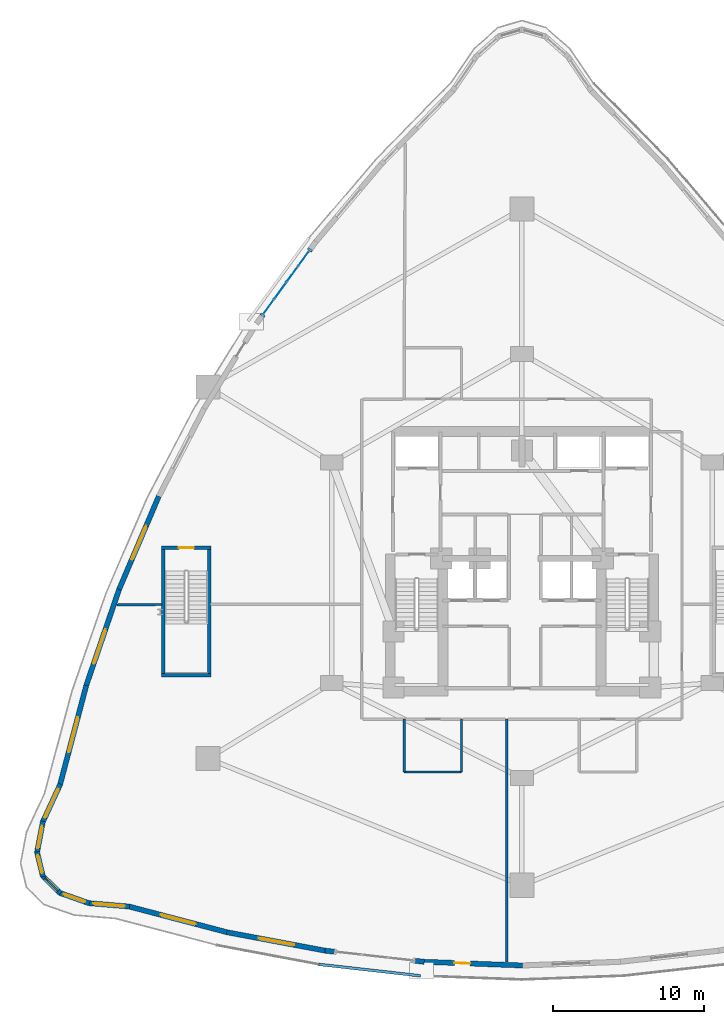
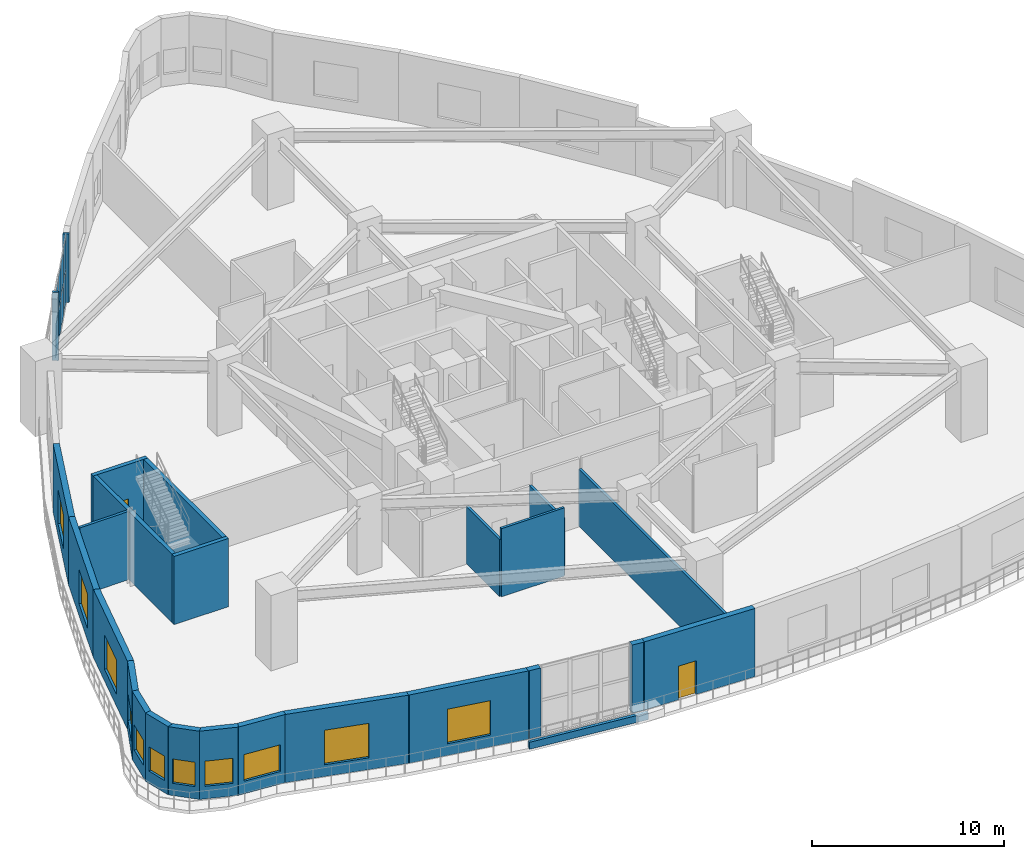
# One storey, part 11 of 19: 24 walls, 11 windows, 10 plates, 2 doors, 13 openings, 1 element without a shape of its own.
"""IFC4 building model written with IfcOpenShell, lengths in metres."""

from ifc_helpers import new_model, si_unit, direction, frame, frame_2d, origin, origin_2d, place, context, subcontext, project, spatial, rectangle, extrude, material, layer, layer_set, type_object, element, fill, aggregate, save


model = new_model("IFC4")

# Units and contexts
model_context = context("Model", 3, precision=1e-05, world=origin(), true_north=direction((0.0, 1.0)))
body_context = subcontext(model_context, "Body", "Model", "MODEL_VIEW")
ifc_project = project(units=[si_unit("LENGTHUNIT", "METRE"), si_unit("AREAUNIT", "SQUARE_METRE"), si_unit("VOLUMEUNIT", "CUBIC_METRE"), si_unit("PLANEANGLEUNIT", "RADIAN"), si_unit("MASSUNIT", "GRAM", prefix="KILO")], contexts=[model_context])

# Site, building, storey
site_placement = place(None, origin())
site = spatial("IfcSite", under=ifc_project, at=site_placement, CompositionType="ELEMENT")
building_placement = place(site_placement, origin())
building = spatial("IfcBuilding", under=site, at=building_placement, Name="Miruveldt Soraemaru", CompositionType="ELEMENT")
storey_placement = place(building_placement, frame((0.0, 0.0, 19.199951171875)))
storey = spatial("IfcBuildingStorey", under=building, at=storey_placement, Name="L05", CompositionType="ELEMENT", Elevation=19.199951171875)

# Curtain wall, plates
ifc_material_1 = material(Name="Anodised aluminium EN AW-6063 T6", Category="aluminium")
ifc_layer_1 = layer(ifc_material_1, 0.219970703125, Name="Anodised aluminium EN AW-6063 T6", Category="aluminium")
ifc_layer_set_1 = layer_set([ifc_layer_1], Name="Anodised aluminium EN AW-6063 T6")
curtain_wall_type = type_object("IfcCurtainWallType", Name="CW-SYS-2", PredefinedType="USERDEFINED", material=ifc_layer_set_1)
curtain_wall_placement = place(storey_placement, origin())
curtain_wall = element("IfcCurtainWall", 1, at=curtain_wall_placement, inside=storey, type_object=curtain_wall_type, Name="L05 Curtain Wall Bay 9", ObjectType="STOREFRONT", PredefinedType="USERDEFINED")
ifc_material_2 = material(Name="Triple low-e insulated glazing", Category="glass")
ifc_layer_2 = layer(ifc_material_2, 0.031982421875, Name="Triple low-e insulated glazing", Category="glass")
ifc_layer_set_2 = layer_set([ifc_layer_2], Name="Triple low-e insulated glazing")
plate_type_1 = type_object("IfcPlateType", Name="CWP-2", PredefinedType="CURTAIN_PANEL", material=ifc_layer_set_2)
plate_1_placement = place(storey_placement, frame((29.554443359375, 63.926025390625, 0.074951171875), z_axis=(0.0, 0.0, 1.0), x_axis=(-0.586784495035, -0.809743142229, 0.0)))
plate_1 = element("IfcPlate", 2, at=plate_1_placement, type_object=plate_type_1, Name="CW-2 panel 1.1", PredefinedType="CURTAIN_PANEL", context=body_context, shape_type="SweptSolid", body=[
    extrude(rectangle(XDim=1.223388671875, YDim=0.031982421875, at=origin_2d()), origin(), (0.0, 0.0, 1.0), 2.0625),
])
plate_2_placement = place(storey_placement, frame((29.554443359375, 63.926025390625, 2.212646484375), z_axis=(0.0, 0.0, 1.0), x_axis=(-0.586784495035, -0.809743142229, 0.0)))
plate_2 = element("IfcPlate", 3, at=plate_2_placement, type_object=plate_type_1, Name="CW-2 panel 1.2", PredefinedType="CURTAIN_PANEL", context=body_context, shape_type="SweptSolid", body=[
    extrude(rectangle(XDim=1.223388671875, YDim=0.031982421875, at=origin_2d()), origin(), (0.0, 0.0, 1.0), 2.0625),
])
plate_3_placement = place(storey_placement, frame((28.781494140625, 62.859375, 0.074951171875), z_axis=(0.0, 0.0, 1.0), x_axis=(-0.586784495035, -0.809743142229, 0.0)))
plate_3 = element("IfcPlate", 4, at=plate_3_placement, type_object=plate_type_1, Name="CW-2 panel 2.1", PredefinedType="CURTAIN_PANEL", context=body_context, shape_type="SweptSolid", body=[
    extrude(rectangle(XDim=1.260986328125, YDim=0.031982421875, at=origin_2d()), origin(), (0.0, 0.0, 1.0), 2.0625),
])
plate_4_placement = place(storey_placement, frame((28.781494140625, 62.859375, 2.212646484375), z_axis=(0.0, 0.0, 1.0), x_axis=(-0.586784495035, -0.809743142229, 0.0)))
plate_4 = element("IfcPlate", 5, at=plate_4_placement, type_object=plate_type_1, Name="CW-2 panel 2.2", PredefinedType="CURTAIN_PANEL", context=body_context, shape_type="SweptSolid", body=[
    extrude(rectangle(XDim=1.260986328125, YDim=0.031982421875, at=origin_2d()), origin(), (0.0, 0.0, 1.0), 2.0625),
])
plate_5_placement = place(storey_placement, frame((27.997314453125, 61.777587890625, 0.074951171875), z_axis=(0.0, 0.0, 1.0), x_axis=(-0.586784495035, -0.809743142229, 0.0)))
plate_5 = element("IfcPlate", 6, at=plate_5_placement, type_object=plate_type_1, Name="CW-2 panel 3.1", PredefinedType="CURTAIN_PANEL", context=body_context, shape_type="SweptSolid", body=[
    extrude(rectangle(XDim=1.260986328125, YDim=0.031982421875, at=origin_2d()), origin(), (0.0, 0.0, 1.0), 2.0625),
])
plate_6_placement = place(storey_placement, frame((27.997314453125, 61.777587890625, 2.212646484375), z_axis=(0.0, 0.0, 1.0), x_axis=(-0.586784495035, -0.809743142229, 0.0)))
plate_6 = element("IfcPlate", 7, at=plate_6_placement, type_object=plate_type_1, Name="CW-2 panel 3.2", PredefinedType="CURTAIN_PANEL", context=body_context, shape_type="SweptSolid", body=[
    extrude(rectangle(XDim=1.260986328125, YDim=0.031982421875, at=origin_2d()), origin(), (0.0, 0.0, 1.0), 2.0625),
])
plate_7_placement = place(storey_placement, frame((27.224365234375, 60.7109375, 0.074951171875), z_axis=(0.0, 0.0, 1.0), x_axis=(-0.586784495035, -0.809743142229, 0.0)))
plate_7 = element("IfcPlate", 8, at=plate_7_placement, type_object=plate_type_1, Name="CW-2 panel 4.1", PredefinedType="CURTAIN_PANEL", context=body_context, shape_type="SweptSolid", body=[
    extrude(rectangle(XDim=1.223388671875, YDim=0.031982421875, at=origin_2d()), origin(), (0.0, 0.0, 1.0), 2.0625),
])
plate_8_placement = place(storey_placement, frame((27.224365234375, 60.7109375, 2.212646484375), z_axis=(0.0, 0.0, 1.0), x_axis=(-0.586784495035, -0.809743142229, 0.0)))
plate_8 = element("IfcPlate", 9, at=plate_8_placement, type_object=plate_type_1, Name="CW-2 panel 4.2", PredefinedType="CURTAIN_PANEL", context=body_context, shape_type="SweptSolid", body=[
    extrude(rectangle(XDim=1.223388671875, YDim=0.031982421875, at=origin_2d()), origin(), (0.0, 0.0, 1.0), 2.0625),
])
aggregate(curtain_wall, [plate_1, plate_2, plate_3, plate_4, plate_5, plate_6, plate_7, plate_8])

# Plates
ifc_layer_3 = layer(ifc_material_1, 0.030029296875, Name="Anodised aluminium EN AW-6063 T6", Category="aluminium")
ifc_layer_set_3 = layer_set([ifc_layer_3], Name="Anodised aluminium EN AW-6063 T6")
plate_type_2 = type_object("IfcPlateType", Name="PLT-JAMB-30", PredefinedType="SHEET", material=ifc_layer_set_3)
for number, where, z_axis, x_axis, name in (
    (10, (29.957275390625, 64.482177734375, 0.0), (0.0, 0.0, 1.0), (-0.586796413149, -0.809734505573, 0.0), "L05 Curtain Wall Jamb Closure Trim 9JL"),
    (11, (26.821533203125, 60.15478515625, 0.0), (0.0, 0.0, 1.0), (-0.586796413149, -0.809734505573, 0.0), "L05 Curtain Wall Jamb Closure Trim 9JR"),
):
    element("IfcPlate", number, at=place(storey_placement, frame(where, z_axis=z_axis, x_axis=x_axis)), inside=storey, type_object=plate_type_2, Name=name, PredefinedType="SHEET", context=body_context, shape_type="SweptSolid", body=[
        extrude(rectangle(XDim=0.139892578125, YDim=0.340087890625, at=origin_2d()), origin(), (0.0, 0.0, 1.0), 4.35009765625),
    ])

# Wall, opening, door
ifc_material_3 = material(Name="Concrete C50/60 (50 MPa)", Category="concrete")
ifc_layer_4 = layer(ifc_material_3, 0.419921875, Name="Concrete C50/60 (50 MPa)", Category="concrete")
ifc_layer_set_4 = layer_set([ifc_layer_4], Name="Concrete C50/60 (50 MPa)")
wall_type_1 = type_object("IfcWallType", Name="WALL-CW-420", PredefinedType="SHEAR", material=ifc_layer_set_4)
wall_1_placement = place(storey_placement, frame((20.1298828125, 44.75, 0.0), z_axis=(0.0, 0.0, 1.0), x_axis=(1.0, 0.0, 0.0)))
wall_1 = element("IfcWall", 12, at=wall_1_placement, inside=storey, type_object=wall_type_1, Name="L05 Protected Exit Stair ST-3 Structural Shaft Wall N", PredefinedType="SHEAR", context=body_context, shape_type="SweptSolid", body=[
    extrude(rectangle(XDim=3.2900390625, YDim=0.239990234375, at=frame_2d((1.64501953125, 0.0))), origin(), (0.0, 0.0, 1.0), 4.35009765625),
])
opening_1_placement = place(wall_1_placement, frame((1.14501953125, 0.0, 0.0)))
opening_1 = element("IfcOpeningElement", 13, at=opening_1_placement, cuts=wall_1, Name="Opening FD1", PredefinedType="OPENING", context=body_context, shape_type="SweptSolid", body=[
    extrude(rectangle(XDim=1.0, YDim=2.14990234375, at=frame_2d((0.5, 1.074951171875))), frame((0.0, 0.1298828125, 0.0), z_axis=(0.0, -1.0, 0.0), x_axis=(1.0, 0.0, 0.0)), (0.0, 0.0, 1.0), 0.260009765625),
])
door_type_1 = type_object("IfcDoorType", Name="DOOR-FD1-1000", OperationType="NOTDEFINED", PredefinedType="DOOR", material=ifc_material_1)
door_1_placement = place(opening_1_placement, frame((1.0, 0.0, 0.0), z_axis=(0.0, 0.0, 1.0), x_axis=(-1.0, 0.0, 0.0)))
door_1 = element("IfcDoor", 14, at=door_1_placement, inside=storey, type_object=door_type_1, Name="L05 Protected Exit Stair ST-3 Fire Door", OperationType="SINGLE_SWING_LEFT", OverallHeight=2.14990234375, OverallWidth=1.0, PredefinedType="DOOR", context=body_context, shape_type="SweptSolid", body=[
    extrude(rectangle(XDim=1.0, YDim=2.14990234375, at=frame_2d((0.5, 1.074951171875))), frame((0.0, 0.02490234375, 0.0), z_axis=(0.0, -1.0, 0.0), x_axis=(1.0, 0.0, 0.0)), (0.0, 0.0, 1.0), 0.050048828125),
])
fill(opening_1, door_1)

# Walls
for number, where, z_axis, x_axis, name in (
    (15, (20.25, 36.35009765625, 0.0), (0.0, 0.0, 1.0), (0.0, 1.0, 0.0), "L05 Protected Exit Stair ST-3 Structural Shaft Wall W"),
    (16, (23.300048828125, 36.35009765625, 0.0), (0.0, 0.0, 1.0), (0.0, 1.0, 0.0), "L05 Protected Exit Stair ST-3 Structural Shaft Wall E"),
):
    element("IfcWall", number, at=place(storey_placement, frame(where, z_axis=z_axis, x_axis=x_axis)), inside=storey, type_object=wall_type_1, Name=name, PredefinedType="SHEAR", context=body_context, shape_type="SweptSolid", body=[
        extrude(rectangle(XDim=8.349853515625, YDim=0.239990234375, at=frame_2d((4.1748046875, 0.0))), origin(), (0.0, 0.0, 1.0), 4.35009765625),
    ])
wall_2_placement = place(storey_placement, frame((20.1298828125, 36.300048828125, 0.0), z_axis=(0.0, 0.0, 1.0), x_axis=(1.0, 0.0, 0.0)))
element("IfcWall", 17, at=wall_2_placement, inside=storey, type_object=wall_type_1, Name="L05 Protected Exit Stair ST-3 Structural Shaft Wall S", PredefinedType="SHEAR", context=body_context, shape_type="SweptSolid", body=[
    extrude(rectangle(XDim=3.2900390625, YDim=0.239990234375, at=frame_2d((1.64501953125, 0.0))), origin(), (0.0, 0.0, 1.0), 4.35009765625),
])

# Wall, opening, window
ifc_material_4 = material(Name="Precast concrete C45/55 (45 MPa)", Category="concrete")
ifc_layer_5 = layer(ifc_material_4, 0.340087890625, Name="Precast concrete C45/55 (45 MPa)", Category="concrete")
ifc_layer_set_5 = layer_set([ifc_layer_5], Name="Precast concrete C45/55 (45 MPa)")
wall_type_2 = type_object("IfcWallType", Name="WALL-EXT-PC340", PredefinedType="SOLIDWALL", material=ifc_layer_set_5)
wall_3_placement = place(storey_placement, frame((19.948974609375, 48.168701171875, 0.0), z_axis=(0.0, 0.0, 1.0), x_axis=(-0.392198319583, -0.919880686892, 0.0)))
wall_3 = element("IfcWall", 18, at=wall_3_placement, inside=storey, type_object=wall_type_2, Name="L05 Precast Concrete Facade Wall 12", PredefinedType="SOLIDWALL", context=body_context, shape_type="SweptSolid", body=[
    extrude(rectangle(XDim=6.714111328125, YDim=0.340087890625, at=frame_2d((3.35693359375, 0.0))), origin(), (0.0, 0.0, 1.0), 4.35009765625),
])
opening_2_placement = place(wall_3_placement, frame((2.156982421875, 0.0, 0.75)))
opening_2 = element("IfcOpeningElement", 19, at=opening_2_placement, cuts=wall_3, Name="Opening WN-5", PredefinedType="OPENING", context=body_context, shape_type="SweptSolid", body=[
    extrude(rectangle(XDim=2.39990234375, YDim=2.199951171875, at=frame_2d((1.199951171875, 1.10009765625))), frame((0.0, 0.18017578125, 0.0), z_axis=(0.0, -1.0, 0.0), x_axis=(1.0, 0.0, 0.0)), (0.0, 0.0, 1.0), 0.360107421875),
])
window_type_1 = type_object("IfcWindowType", Name="WIN-PODM-2400x2200", PartitioningType="SINGLE_PANEL", PredefinedType="WINDOW", material=ifc_material_2)
window_1_placement = place(opening_2_placement, origin())
window_1 = element("IfcWindow", 20, at=window_1_placement, inside=storey, type_object=window_type_1, Name="L05 Punched Triple-Glazed Window 12.1", OverallHeight=2.199951171875, OverallWidth=2.39990234375, PartitioningType="SINGLE_PANEL", PredefinedType="WINDOW", context=body_context, shape_type="SweptSolid", body=[
    extrude(rectangle(XDim=2.39990234375, YDim=2.199951171875, at=frame_2d((1.199951171875, 1.10009765625))), frame((0.0, 0.030029296875, 0.0), z_axis=(0.0, -1.0, 0.0), x_axis=(1.0, 0.0, 0.0)), (0.0, 0.0, 1.0), 0.06005859375),
])
fill(opening_2, window_1)

wall_4_placement = place(storey_placement, frame((17.340576171875, 42.057861328125, 0.0), z_axis=(0.0, 0.0, 1.0), x_axis=(-0.323760553486, -0.946139051095, 0.0)))
wall_4 = element("IfcWall", 21, at=wall_4_placement, inside=storey, type_object=wall_type_2, Name="L05 Precast Concrete Facade Wall 13", PredefinedType="SOLIDWALL", context=body_context, shape_type="SweptSolid", body=[
    extrude(rectangle(XDim=6.787353515625, YDim=0.340087890625, at=frame_2d((3.3935546875, 0.0))), origin(), (0.0, 0.0, 1.0), 4.35009765625),
])
opening_3_placement = place(wall_4_placement, frame((2.85888671875, 0.0, 0.75)))
opening_3 = element("IfcOpeningElement", 22, at=opening_3_placement, cuts=wall_4, Name="Opening WN-5", PredefinedType="OPENING", context=body_context, shape_type="SweptSolid", body=[
    extrude(rectangle(XDim=2.39990234375, YDim=2.199951171875, at=frame_2d((1.199951171875, 1.10009765625))), frame((0.0, 0.18017578125, 0.0), z_axis=(0.0, -1.0, 0.0), x_axis=(1.0, 0.0, 0.0)), (0.0, 0.0, 1.0), 0.360107421875),
])
window_2_placement = place(opening_3_placement, origin())
window_2 = element("IfcWindow", 23, at=window_2_placement, inside=storey, type_object=window_type_1, Name="L05 Punched Triple-Glazed Window 13.1", OverallHeight=2.199951171875, OverallWidth=2.39990234375, PartitioningType="SINGLE_PANEL", PredefinedType="WINDOW", context=body_context, shape_type="SweptSolid", body=[
    extrude(rectangle(XDim=2.39990234375, YDim=2.199951171875, at=frame_2d((1.199951171875, 1.10009765625))), frame((0.0, 0.030029296875, 0.0), z_axis=(0.0, -1.0, 0.0), x_axis=(1.0, 0.0, 0.0)), (0.0, 0.0, 1.0), 0.06005859375),
])
fill(opening_3, window_2)

wall_5_placement = place(storey_placement, frame((15.1630859375, 35.702880859375, 0.0), z_axis=(0.0, 0.0, 1.0), x_axis=(-0.25545855624, -0.966820007056, 0.0)))
wall_5 = element("IfcWall", 24, at=wall_5_placement, inside=storey, type_object=wall_type_2, Name="L05 Precast Concrete Facade Wall 14", PredefinedType="SOLIDWALL", context=body_context, shape_type="SweptSolid", body=[
    extrude(rectangle(XDim=6.896240234375, YDim=0.340087890625, at=frame_2d((3.4482421875, 0.0))), origin(), (0.0, 0.0, 1.0), 4.35009765625),
])
opening_4_placement = place(wall_5_placement, frame((2.248046875, 0.0, 0.75)))
opening_4 = element("IfcOpeningElement", 25, at=opening_4_placement, cuts=wall_5, Name="Opening WN-5", PredefinedType="OPENING", context=body_context, shape_type="SweptSolid", body=[
    extrude(rectangle(XDim=2.39990234375, YDim=2.199951171875, at=frame_2d((1.199951171875, 1.10009765625))), frame((0.0, 0.18017578125, 0.0), z_axis=(0.0, -1.0, 0.0), x_axis=(1.0, 0.0, 0.0)), (0.0, 0.0, 1.0), 0.360107421875),
])
window_3_placement = place(opening_4_placement, origin())
window_3 = element("IfcWindow", 26, at=window_3_placement, inside=storey, type_object=window_type_1, Name="L05 Punched Triple-Glazed Window 14.1", OverallHeight=2.199951171875, OverallWidth=2.39990234375, PartitioningType="SINGLE_PANEL", PredefinedType="WINDOW", context=body_context, shape_type="SweptSolid", body=[
    extrude(rectangle(XDim=2.39990234375, YDim=2.199951171875, at=frame_2d((1.199951171875, 1.10009765625))), frame((0.0, 0.030029296875, 0.0), z_axis=(0.0, -1.0, 0.0), x_axis=(1.0, 0.0, 0.0)), (0.0, 0.0, 1.0), 0.06005859375),
])
fill(opening_4, window_3)

wall_6_placement = place(storey_placement, frame((13.425048828125, 29.10107421875, 0.0), z_axis=(0.0, 0.0, 1.0), x_axis=(-0.42030108438, -0.907384702576, 0.0)))
wall_6 = element("IfcWall", 27, at=wall_6_placement, inside=storey, type_object=wall_type_2, Name="L05 Precast Concrete Facade Wall 15", PredefinedType="SOLIDWALL", context=body_context, shape_type="SweptSolid", body=[
    extrude(rectangle(XDim=2.789306640625, YDim=0.340087890625, at=frame_2d((1.39453125, 0.0))), origin(), (0.0, 0.0, 1.0), 4.35009765625),
])
opening_5_placement = place(wall_6_placement, frame((0.344970703125, 0.0, 0.800048828125)))
opening_5 = element("IfcOpeningElement", 28, at=opening_5_placement, cuts=wall_6, Name="Opening WN-1", PredefinedType="OPENING", context=body_context, shape_type="SweptSolid", body=[
    extrude(rectangle(XDim=2.10009765625, YDim=1.699951171875, at=frame_2d((1.050048828125, 0.85009765625))), frame((0.0, 0.18017578125, 0.0), z_axis=(0.0, -1.0, 0.0), x_axis=(1.0, 0.0, 0.0)), (0.0, 0.0, 1.0), 0.360107421875),
])
window_type_2 = type_object("IfcWindowType", Name="WIN-PUNCH-2100x1700", PartitioningType="SINGLE_PANEL", PredefinedType="WINDOW", material=ifc_material_2)
window_4_placement = place(opening_5_placement, origin())
window_4 = element("IfcWindow", 29, at=window_4_placement, inside=storey, type_object=window_type_2, Name="L05 Punched Triple-Glazed Window 15.1", OverallHeight=1.699951171875, OverallWidth=2.10009765625, PartitioningType="SINGLE_PANEL", PredefinedType="WINDOW", context=body_context, shape_type="SweptSolid", body=[
    extrude(rectangle(XDim=2.10009765625, YDim=1.699951171875, at=frame_2d((1.050048828125, 0.85009765625))), frame((0.0, 0.030029296875, 0.0), z_axis=(0.0, -1.0, 0.0), x_axis=(1.0, 0.0, 0.0)), (0.0, 0.0, 1.0), 0.06005859375),
])
fill(opening_5, window_4)

wall_7_placement = place(storey_placement, frame((12.27392578125, 26.63623046875, 0.0), z_axis=(0.0, 0.0, 1.0), x_axis=(-0.185363890455, -0.982669948719, 0.0)))
wall_7 = element("IfcWall", 30, at=wall_7_placement, inside=storey, type_object=wall_type_2, Name="L05 Precast Concrete Facade Wall 16", PredefinedType="SOLIDWALL", context=body_context, shape_type="SweptSolid", body=[
    extrude(rectangle(XDim=2.12451171875, YDim=0.340087890625, at=frame_2d((1.062255859375, 0.0))), origin(), (0.0, 0.0, 1.0), 4.35009765625),
])
opening_6_placement = place(wall_7_placement, frame((0.31201171875, 0.0, 0.800048828125)))
opening_6 = element("IfcOpeningElement", 31, at=opening_6_placement, cuts=wall_7, Name="Opening WN-3", PredefinedType="OPENING", context=body_context, shape_type="SweptSolid", body=[
    extrude(rectangle(XDim=1.5, YDim=1.60009765625, at=frame_2d((0.75, 0.800048828125))), frame((0.0, 0.18017578125, 0.0), z_axis=(0.0, -1.0, 0.0), x_axis=(1.0, 0.0, 0.0)), (0.0, 0.0, 1.0), 0.360107421875),
])
window_type_3 = type_object("IfcWindowType", Name="WIN-PUNCH-1500x1600", PartitioningType="SINGLE_PANEL", PredefinedType="WINDOW", material=ifc_material_2)
window_5_placement = place(opening_6_placement, origin())
window_5 = element("IfcWindow", 32, at=window_5_placement, inside=storey, type_object=window_type_3, Name="L05 Punched Triple-Glazed Window 16.1", OverallHeight=1.60009765625, OverallWidth=1.5, PartitioningType="SINGLE_PANEL", PredefinedType="WINDOW", context=body_context, shape_type="SweptSolid", body=[
    extrude(rectangle(XDim=1.5, YDim=1.60009765625, at=frame_2d((0.75, 0.800048828125))), frame((0.0, 0.030029296875, 0.0), z_axis=(0.0, -1.0, 0.0), x_axis=(1.0, 0.0, 0.0)), (0.0, 0.0, 1.0), 0.06005859375),
])
fill(opening_6, window_5)

wall_8_placement = place(storey_placement, frame((11.87841796875, 24.616943359375, 0.0), z_axis=(0.0, 0.0, 1.0), x_axis=(0.235782408653, -0.9718058735, 0.0)))
wall_8 = element("IfcWall", 33, at=wall_8_placement, inside=storey, type_object=wall_type_2, Name="L05 Precast Concrete Facade Wall 17", PredefinedType="SOLIDWALL", context=body_context, shape_type="SweptSolid", body=[
    extrude(rectangle(XDim=1.685791015625, YDim=0.340087890625, at=frame_2d((0.8427734375, 0.0))), origin(), (0.0, 0.0, 1.0), 4.35009765625),
])
opening_7_placement = place(wall_8_placement, frame((0.242919921875, 0.0, 0.780029296875)))
opening_7 = element("IfcOpeningElement", 34, at=opening_7_placement, cuts=wall_8, Name="Opening WN-4", PredefinedType="OPENING", context=body_context, shape_type="SweptSolid", body=[
    extrude(rectangle(XDim=1.199951171875, YDim=1.550048828125, at=frame_2d((0.60009765625, 0.77490234375))), frame((0.0, 0.18017578125, 0.0), z_axis=(0.0, -1.0, 0.0), x_axis=(1.0, 0.0, 0.0)), (0.0, 0.0, 1.0), 0.360107421875),
])
window_type_4 = type_object("IfcWindowType", Name="WIN-PUNCH-1200x1550", PartitioningType="SINGLE_PANEL", PredefinedType="WINDOW", material=ifc_material_2)
window_6_placement = place(opening_7_placement, origin())
window_6 = element("IfcWindow", 35, at=window_6_placement, inside=storey, type_object=window_type_4, Name="L05 Punched Triple-Glazed Window 17.1", OverallHeight=1.550048828125, OverallWidth=1.199951171875, PartitioningType="SINGLE_PANEL", PredefinedType="WINDOW", context=body_context, shape_type="SweptSolid", body=[
    extrude(rectangle(XDim=1.199951171875, YDim=1.550048828125, at=frame_2d((0.60009765625, 0.77490234375))), frame((0.0, 0.030029296875, 0.0), z_axis=(0.0, -1.0, 0.0), x_axis=(1.0, 0.0, 0.0)), (0.0, 0.0, 1.0), 0.06005859375),
])
fill(opening_7, window_6)

wall_9_placement = place(storey_placement, frame((12.242431640625, 23.037353515625, 0.0), z_axis=(0.0, 0.0, 1.0), x_axis=(0.713721952104, -0.700429136377, 0.0)))
wall_9 = element("IfcWall", 36, at=wall_9_placement, inside=storey, type_object=wall_type_2, Name="L05 Precast Concrete Facade Wall 18", PredefinedType="SOLIDWALL", context=body_context, shape_type="SweptSolid", body=[
    extrude(rectangle(XDim=1.67138671875, YDim=0.340087890625, at=frame_2d((0.835693359375, 0.0))), origin(), (0.0, 0.0, 1.0), 4.35009765625),
])
opening_8_placement = place(wall_9_placement, frame((0.236083984375, 0.0, 0.780029296875)))
opening_8 = element("IfcOpeningElement", 37, at=opening_8_placement, cuts=wall_9, Name="Opening WN-4", PredefinedType="OPENING", context=body_context, shape_type="SweptSolid", body=[
    extrude(rectangle(XDim=1.199951171875, YDim=1.550048828125, at=frame_2d((0.60009765625, 0.77490234375))), frame((0.0, 0.18017578125, 0.0), z_axis=(0.0, -1.0, 0.0), x_axis=(1.0, 0.0, 0.0)), (0.0, 0.0, 1.0), 0.360107421875),
])
window_7_placement = place(opening_8_placement, origin())
window_7 = element("IfcWindow", 38, at=window_7_placement, inside=storey, type_object=window_type_4, Name="L05 Punched Triple-Glazed Window 18.1", OverallHeight=1.550048828125, OverallWidth=1.199951171875, PartitioningType="SINGLE_PANEL", PredefinedType="WINDOW", context=body_context, shape_type="SweptSolid", body=[
    extrude(rectangle(XDim=1.199951171875, YDim=1.550048828125, at=frame_2d((0.60009765625, 0.77490234375))), frame((0.0, 0.030029296875, 0.0), z_axis=(0.0, -1.0, 0.0), x_axis=(1.0, 0.0, 0.0)), (0.0, 0.0, 1.0), 0.06005859375),
])
fill(opening_8, window_7)

wall_10_placement = place(storey_placement, frame((13.377197265625, 21.903076171875, 0.0), z_axis=(0.0, 0.0, 1.0), x_axis=(0.942841449092, -0.333241656871, 0.0)))
wall_10 = element("IfcWall", 39, at=wall_10_placement, inside=storey, type_object=wall_type_2, Name="L05 Precast Concrete Facade Wall 19", PredefinedType="SOLIDWALL", context=body_context, shape_type="SweptSolid", body=[
    extrude(rectangle(XDim=2.090087890625, YDim=0.340087890625, at=frame_2d((1.044921875, 0.0))), origin(), (0.0, 0.0, 1.0), 4.35009765625),
])
opening_9_placement = place(wall_10_placement, frame((0.294921875, 0.0, 0.800048828125)))
opening_9 = element("IfcOpeningElement", 40, at=opening_9_placement, cuts=wall_10, Name="Opening WN-3", PredefinedType="OPENING", context=body_context, shape_type="SweptSolid", body=[
    extrude(rectangle(XDim=1.5, YDim=1.60009765625, at=frame_2d((0.75, 0.800048828125))), frame((0.0, 0.18017578125, 0.0), z_axis=(0.0, -1.0, 0.0), x_axis=(1.0, 0.0, 0.0)), (0.0, 0.0, 1.0), 0.360107421875),
])
window_8_placement = place(opening_9_placement, origin())
window_8 = element("IfcWindow", 41, at=window_8_placement, inside=storey, type_object=window_type_3, Name="L05 Punched Triple-Glazed Window 19.1", OverallHeight=1.60009765625, OverallWidth=1.5, PartitioningType="SINGLE_PANEL", PredefinedType="WINDOW", context=body_context, shape_type="SweptSolid", body=[
    extrude(rectangle(XDim=1.5, YDim=1.60009765625, at=frame_2d((0.75, 0.800048828125))), frame((0.0, 0.030029296875, 0.0), z_axis=(0.0, -1.0, 0.0), x_axis=(1.0, 0.0, 0.0)), (0.0, 0.0, 1.0), 0.06005859375),
])
fill(opening_9, window_8)

wall_11_placement = place(storey_placement, frame((15.27978515625, 21.22119140625, 0.0), z_axis=(0.0, 0.0, 1.0), x_axis=(0.996486644337, -0.083751821821, 0.0)))
wall_11 = element("IfcWall", 42, at=wall_11_placement, inside=storey, type_object=wall_type_2, Name="L05 Precast Concrete Facade Wall 20", PredefinedType="SOLIDWALL", context=body_context, shape_type="SweptSolid", body=[
    extrude(rectangle(XDim=2.74609375, YDim=0.340087890625, at=frame_2d((1.373046875, 0.0))), origin(), (0.0, 0.0, 1.0), 4.35009765625),
])
opening_10_placement = place(wall_11_placement, frame((0.322998046875, 0.0, 0.800048828125)))
opening_10 = element("IfcOpeningElement", 43, at=opening_10_placement, cuts=wall_11, Name="Opening WN-1", PredefinedType="OPENING", context=body_context, shape_type="SweptSolid", body=[
    extrude(rectangle(XDim=2.10009765625, YDim=1.699951171875, at=frame_2d((1.050048828125, 0.85009765625))), frame((0.0, 0.18017578125, 0.0), z_axis=(0.0, -1.0, 0.0), x_axis=(1.0, 0.0, 0.0)), (0.0, 0.0, 1.0), 0.360107421875),
])
window_9_placement = place(opening_10_placement, origin())
window_9 = element("IfcWindow", 44, at=window_9_placement, inside=storey, type_object=window_type_2, Name="L05 Punched Triple-Glazed Window 20.1", OverallHeight=1.699951171875, OverallWidth=2.10009765625, PartitioningType="SINGLE_PANEL", PredefinedType="WINDOW", context=body_context, shape_type="SweptSolid", body=[
    extrude(rectangle(XDim=2.10009765625, YDim=1.699951171875, at=frame_2d((1.050048828125, 0.85009765625))), frame((0.0, 0.030029296875, 0.0), z_axis=(0.0, -1.0, 0.0), x_axis=(1.0, 0.0, 0.0)), (0.0, 0.0, 1.0), 0.06005859375),
])
fill(opening_10, window_9)

wall_12_placement = place(storey_placement, frame((17.947265625, 21.0029296875, 0.0), z_axis=(0.0, 0.0, 1.0), x_axis=(0.967228869829, -0.253906111329, 0.0)))
wall_12 = element("IfcWall", 45, at=wall_12_placement, inside=storey, type_object=wall_type_2, Name="L05 Precast Concrete Facade Wall 21", PredefinedType="SOLIDWALL", context=body_context, shape_type="SweptSolid", body=[
    extrude(rectangle(XDim=6.795166015625, YDim=0.340087890625, at=frame_2d((3.3974609375, 0.0))), origin(), (0.0, 0.0, 1.0), 4.35009765625),
])
opening_11_placement = place(wall_12_placement, frame((2.197021484375, 0.0, 0.75)))
opening_11 = element("IfcOpeningElement", 46, at=opening_11_placement, cuts=wall_12, Name="Opening WN-5", PredefinedType="OPENING", context=body_context, shape_type="SweptSolid", body=[
    extrude(rectangle(XDim=2.39990234375, YDim=2.199951171875, at=frame_2d((1.199951171875, 1.10009765625))), frame((0.0, 0.18017578125, 0.0), z_axis=(0.0, -1.0, 0.0), x_axis=(1.0, 0.0, 0.0)), (0.0, 0.0, 1.0), 0.360107421875),
])
window_10_placement = place(opening_11_placement, origin())
window_10 = element("IfcWindow", 47, at=window_10_placement, inside=storey, type_object=window_type_1, Name="L05 Punched Triple-Glazed Window 21.1", OverallHeight=2.199951171875, OverallWidth=2.39990234375, PartitioningType="SINGLE_PANEL", PredefinedType="WINDOW", context=body_context, shape_type="SweptSolid", body=[
    extrude(rectangle(XDim=2.39990234375, YDim=2.199951171875, at=frame_2d((1.199951171875, 1.10009765625))), frame((0.0, 0.030029296875, 0.0), z_axis=(0.0, -1.0, 0.0), x_axis=(1.0, 0.0, 0.0)), (0.0, 0.0, 1.0), 0.06005859375),
])
fill(opening_11, window_10)

wall_13_placement = place(storey_placement, frame((24.451416015625, 19.29296875, 0.0), z_axis=(0.0, 0.0, 1.0), x_axis=(0.982875079597, -0.184273106845, 0.0)))
wall_13 = element("IfcWall", 48, at=wall_13_placement, inside=storey, type_object=wall_type_2, Name="L05 Precast Concrete Facade Wall 22", PredefinedType="SOLIDWALL", context=body_context, shape_type="SweptSolid", body=[
    extrude(rectangle(XDim=6.68798828125, YDim=0.340087890625, at=frame_2d((3.343994140625, 0.0))), origin(), (0.0, 0.0, 1.0), 4.35009765625),
])
opening_12_placement = place(wall_13_placement, frame((2.14404296875, 0.0, 0.75)))
opening_12 = element("IfcOpeningElement", 49, at=opening_12_placement, cuts=wall_13, Name="Opening WN-5", PredefinedType="OPENING", context=body_context, shape_type="SweptSolid", body=[
    extrude(rectangle(XDim=2.39990234375, YDim=2.199951171875, at=frame_2d((1.199951171875, 1.10009765625))), frame((0.0, 0.18017578125, 0.0), z_axis=(0.0, -1.0, 0.0), x_axis=(1.0, 0.0, 0.0)), (0.0, 0.0, 1.0), 0.360107421875),
])
window_11_placement = place(opening_12_placement, origin())
window_11 = element("IfcWindow", 50, at=window_11_placement, inside=storey, type_object=window_type_1, Name="L05 Punched Triple-Glazed Window 22.1", OverallHeight=2.199951171875, OverallWidth=2.39990234375, PartitioningType="SINGLE_PANEL", PredefinedType="WINDOW", context=body_context, shape_type="SweptSolid", body=[
    extrude(rectangle(XDim=2.39990234375, YDim=2.199951171875, at=frame_2d((1.199951171875, 1.10009765625))), frame((0.0, 0.030029296875, 0.0), z_axis=(0.0, -1.0, 0.0), x_axis=(1.0, 0.0, 0.0)), (0.0, 0.0, 1.0), 0.06005859375),
])
fill(opening_12, window_11)

# Walls
wall_14_placement = place(storey_placement, frame((30.955810546875, 18.07080078125, 0.0), z_axis=(0.0, 0.0, 1.0), x_axis=(0.993726507007, -0.11183751281, 0.0)))
element("IfcWall", 51, at=wall_14_placement, inside=storey, type_object=wall_type_2, Name="L05 Precast Pier Left 23", PredefinedType="SOLIDWALL", context=body_context, shape_type="SweptSolid", body=[
    extrude(rectangle(XDim=0.705078125, YDim=0.340087890625, at=frame_2d((0.3525390625, 0.0))), origin(), (0.0, 0.0, 1.0), 4.35009765625),
])
wall_15_placement = place(storey_placement, frame((36.829833984375, 17.409912109375, 0.0), z_axis=(0.0, 0.0, 1.0), x_axis=(0.993756312265, -0.111572361419, 0.0)))
element("IfcWall", 52, at=wall_15_placement, inside=storey, type_object=wall_type_2, Name="L05 Precast Pier Right 23", PredefinedType="SOLIDWALL", context=body_context, shape_type="SweptSolid", body=[
    extrude(rectangle(XDim=0.70458984375, YDim=0.340087890625, at=frame_2d((0.352294921875, 0.0))), origin(), (0.0, 0.0, 1.0), 4.35009765625),
])

# Wall, opening, door
wall_16_placement = place(storey_placement, frame((37.460205078125, 17.33642578125, 0.0), z_axis=(0.0, 0.0, 1.0), x_axis=(0.999297442003, -0.037478292478, 0.0)))
wall_16 = element("IfcWall", 53, at=wall_16_placement, inside=storey, type_object=wall_type_2, Name="L05 Precast Concrete Facade Wall 24", PredefinedType="SOLIDWALL", context=body_context, shape_type="SweptSolid", body=[
    extrude(rectangle(XDim=6.579345703125, YDim=0.340087890625, at=frame_2d((3.28955078125, 0.0))), origin(), (0.0, 0.0, 1.0), 4.35009765625),
])
opening_13_placement = place(wall_16_placement, frame((2.06591796875, 0.0, 0.0)))
opening_13 = element("IfcOpeningElement", 54, at=opening_13_placement, cuts=wall_16, Name="Opening TD-1", PredefinedType="OPENING", context=body_context, shape_type="SweptSolid", body=[
    extrude(rectangle(XDim=1.050048828125, YDim=2.14990234375, at=frame_2d((0.52490234375, 1.074951171875))), frame((0.0, 0.18017578125, 0.0), z_axis=(0.0, -1.0, 0.0), x_axis=(1.0, 0.0, 0.0)), (0.0, 0.0, 1.0), 0.360107421875),
])
door_type_2 = type_object("IfcDoorType", Name="DOOR-TER-1050", OperationType="NOTDEFINED", PredefinedType="DOOR", material=ifc_material_1)
door_2_placement = place(opening_13_placement, frame((1.050048828125, 0.0, 0.0), z_axis=(0.0, 0.0, 1.0), x_axis=(-1.0, 0.0, 0.0)))
door_2 = element("IfcDoor", 55, at=door_2_placement, inside=storey, type_object=door_type_2, Name="L05 Terrace Access Glazed Door 24", OperationType="SINGLE_SWING_LEFT", OverallHeight=2.14990234375, OverallWidth=1.050048828125, PredefinedType="DOOR", context=body_context, shape_type="SweptSolid", body=[
    extrude(rectangle(XDim=1.050048828125, YDim=2.14990234375, at=frame_2d((0.52490234375, 1.074951171875))), frame((0.0, 0.02490234375, 0.0), z_axis=(0.0, -1.0, 0.0), x_axis=(1.0, 0.0, 0.0)), (0.0, 0.0, 1.0), 0.050048828125),
])
fill(opening_13, door_2)

# Walls
ifc_material_5 = material(Name="Gypsum plasterboard lining", Category="gypsum")
ifc_layer_6 = layer(ifc_material_5, 0.14990234375, Name="Gypsum plasterboard lining", Category="gypsum")
ifc_layer_set_6 = layer_set([ifc_layer_6], Name="Gypsum plasterboard lining")
wall_type_3 = type_object("IfcWallType", Name="WALL-INT-PLUMB", PredefinedType="PLUMBINGWALL", material=ifc_layer_set_6)
wall_17_placement = place(storey_placement, frame((36.199951171875, 29.89990234375, 0.0), z_axis=(0.0, 0.0, 1.0), x_axis=(1.0, 0.0, 0.0)))
element("IfcWall", 56, at=wall_17_placement, inside=storey, type_object=wall_type_3, Name="L05 Partition Wall 20", PredefinedType="PLUMBINGWALL", context=body_context, shape_type="SweptSolid", body=[
    extrude(rectangle(XDim=3.800048828125, YDim=0.14990234375, at=frame_2d((1.89990234375, 0.0))), origin(), (0.0, 0.0, 1.0), 4.35009765625),
])
for number, where, z_axis, x_axis, name in (
    (57, (36.199951171875, 33.39990234375, 0.0), (0.0, 0.0, 1.0), (0.0, -1.0, 0.0), "L05 Partition Wall 19"),
    (58, (40.0, 29.89990234375, 0.0), (0.0, 0.0, 1.0), (0.0, 1.0, 0.0), "L05 Partition Wall 21"),
):
    element("IfcWall", number, at=place(storey_placement, frame(where, z_axis=z_axis, x_axis=x_axis)), inside=storey, type_object=wall_type_3, Name=name, PredefinedType="PLUMBINGWALL", context=body_context, shape_type="SweptSolid", body=[
        extrude(rectangle(XDim=3.5, YDim=0.14990234375, at=frame_2d((1.75, 0.0))), origin(), (0.0, 0.0, 1.0), 3.637939453125),
    ])
ifc_material_6 = material(Name="Concrete C40/50 (40 MPa)", Category="concrete")
ifc_layer_7 = layer(ifc_material_6, 0.159912109375, Name="Concrete C40/50 (40 MPa)", Category="concrete")
ifc_layer_set_7 = layer_set([ifc_layer_7], Name="Concrete C40/50 (40 MPa)")
wall_type_4 = type_object("IfcWallType", Name="WALL-INT-RC160", PredefinedType="SOLIDWALL", material=ifc_layer_set_7)
wall_18_placement = place(storey_placement, frame((43.00390625, 17.31396484375, 0.0), z_axis=(0.0, 0.0, 1.0), x_axis=(-0.000242836321, 0.999999970515, 0.0)))
element("IfcWall", 59, at=wall_18_placement, inside=storey, type_object=wall_type_4, Name="L05 Partition Wall 25", PredefinedType="SOLIDWALL", context=body_context, shape_type="SweptSolid", body=[
    extrude(rectangle(XDim=16.0859375, YDim=0.159912109375, at=frame_2d((8.04296875, 0.0))), origin(), (0.0, 0.0, 1.0), 3.637939453125),
])
wall_19_placement = place(storey_placement, frame((20.169921875, 40.9990234375, 0.0), z_axis=(0.0, 0.0, 1.0), x_axis=(-0.999939929804, -0.010960692638, 0.0)))
element("IfcWall", 60, at=wall_19_placement, inside=storey, type_object=wall_type_4, Name="L05 Partition Wall 27", PredefinedType="SOLIDWALL", context=body_context, shape_type="SweptSolid", body=[
    extrude(rectangle(XDim=3.007080078125, YDim=0.159912109375, at=frame_2d((1.50341796875, 0.0))), origin(), (0.0, 0.0, 1.0), 4.35009765625),
])
ifc_layer_8 = layer(ifc_material_4, 0.179931640625, Name="Precast concrete C45/55 (45 MPa)", Category="concrete")
ifc_layer_set_8 = layer_set([ifc_layer_8], Name="Precast concrete C45/55 (45 MPa)")
wall_type_5 = type_object("IfcWallType", Name="WALL-PAR-180", PredefinedType="PARAPET", material=ifc_layer_set_8)
wall_20_placement = place(storey_placement, frame((30.5419921875, 17.161865234375, 0.0), z_axis=(0.0, 0.0, 1.0), x_axis=(0.99373021462, -0.111804564093, 0.0)))
element("IfcWall", 61, at=wall_20_placement, inside=storey, type_object=wall_type_5, Name="L05 Terrace Upstand Parapet 22", PredefinedType="PARAPET", context=body_context, shape_type="SweptSolid", body=[
    extrude(rectangle(XDim=6.771484375, YDim=0.179931640625, at=frame_2d((3.3857421875, 0.0))), origin(), (0.0, 0.0, 1.0), 0.449951171875),
])

save(model, "model.ifc")
